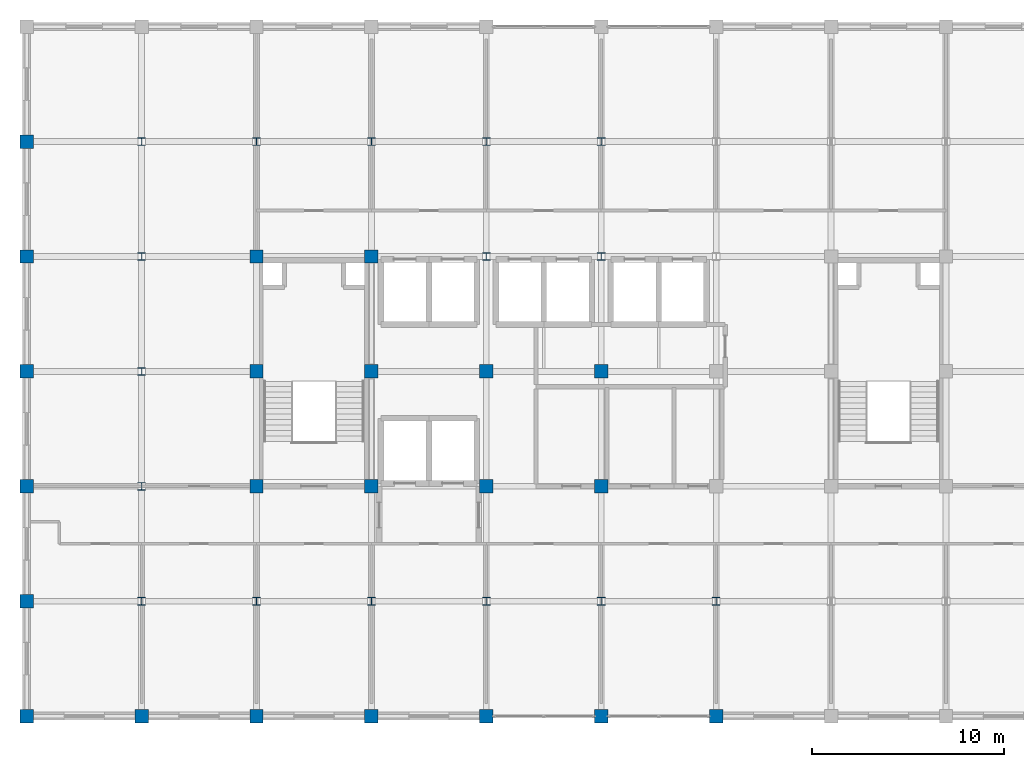
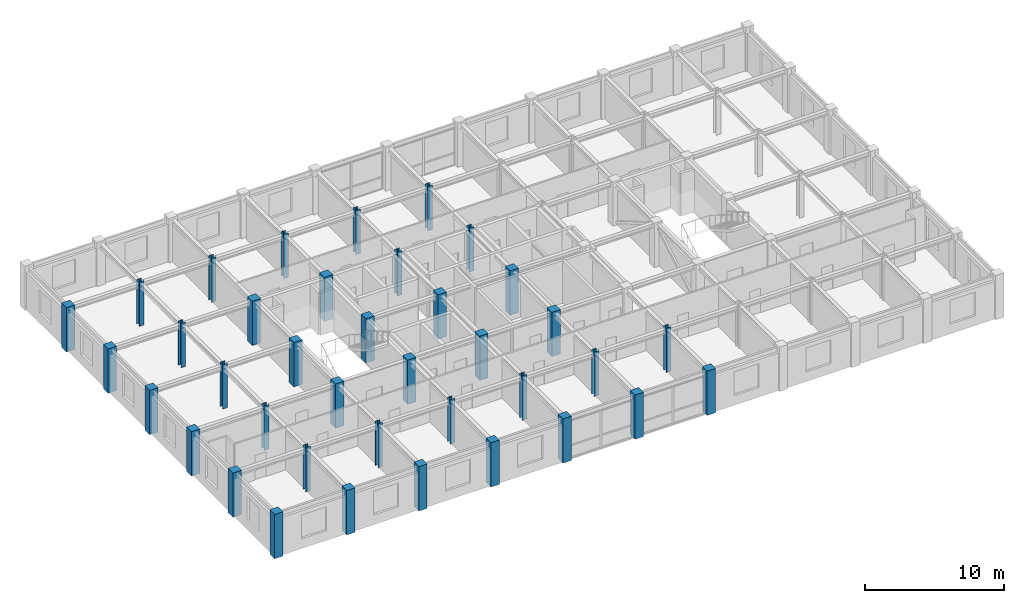
# One storey, part 1 of 14: 38 columns.
"""IFC4 building model written with IfcOpenShell, lengths in metres."""

from ifc_helpers import new_model, si_unit, direction, frame, origin, origin_2d, place, context, subcontext, project, spatial, rectangle, i_section, extrude, material, material_profile, profile_set, type_object, element, save


model = new_model("IFC4")

# Units and contexts
model_context = context("Model", 3, precision=1e-05, world=origin(), true_north=direction((0.0, 1.0)))
body_context = subcontext(model_context, "Body", "Model", "MODEL_VIEW")
ifc_project = project(units=[si_unit("LENGTHUNIT", "METRE"), si_unit("AREAUNIT", "SQUARE_METRE"), si_unit("VOLUMEUNIT", "CUBIC_METRE"), si_unit("PLANEANGLEUNIT", "RADIAN"), si_unit("MASSUNIT", "GRAM", prefix="KILO")], contexts=[model_context])

# Site, building, storey
site_placement = place(None, origin())
site = spatial("IfcSite", under=ifc_project, at=site_placement, CompositionType="ELEMENT")
building_placement = place(site_placement, origin())
building = spatial("IfcBuilding", under=site, at=building_placement, Name="Zlatovratsky Civic Hall", CompositionType="ELEMENT")
storey_placement = place(building_placement, frame((0.0, 0.0, 28.800048828125)))
storey = spatial("IfcBuildingStorey", under=building, at=storey_placement, Name="L07", CompositionType="ELEMENT", Elevation=28.800048828125)

# Columns
ifc_material_1 = material(Name="Concrete C35/45 (B40)", Category="concrete")
ifc_material_profile_1 = material_profile(ifc_material_1, rectangle(XDim=0.699951171875, YDim=0.699951171875, at=origin_2d()), Name="RC 700x700")
ifc_profile_set_1 = profile_set([ifc_material_profile_1], Name="Concrete C35/45 (B40)")
column_type_1 = type_object("IfcColumnType", Name="Col_CorePier_RC700", PredefinedType="COLUMN", material=ifc_profile_set_1)
for number, where, z_axis, x_axis, name in (
    (1, (54.0, 72.0, 0.0), (0.0, 0.0, 1.0), (1.0, 0.0, 0.0), "CL-2095"),
    (2, (60.0, 72.0, 0.0), (0.0, 0.0, 1.0), (1.0, 0.0, 0.0), "CL-2096"),
    (3, (66.0, 72.0, 0.0), (0.0, 0.0, 1.0), (1.0, 0.0, 0.0), "CL-2097"),
    (4, (72.0, 72.0, 0.0), (0.0, 0.0, 1.0), (1.0, 0.0, 0.0), "CL-2098"),
    (5, (78.0, 72.0, 0.0), (0.0, 0.0, 1.0), (1.0, 0.0, 0.0), "CL-2099"),
    (6, (84.0, 72.0, 0.0), (0.0, 0.0, 1.0), (1.0, 0.0, 0.0), "CL-2100"),
    (7, (90.0, 72.0, 0.0), (0.0, 0.0, 1.0), (1.0, 0.0, 0.0), "CL-2101"),
    (8, (54.0, 78.0, 0.0), (0.0, 0.0, 1.0), (1.0, 0.0, 0.0), "CL-2106"),
    (9, (54.0, 84.0, 0.0), (0.0, 0.0, 1.0), (1.0, 0.0, 0.0), "CL-2117"),
    (10, (66.0, 84.0, 0.0), (0.0, 0.0, 1.0), (1.0, 0.0, 0.0), "CL-2119"),
    (11, (72.0, 84.0, 0.0), (0.0, 0.0, 1.0), (1.0, 0.0, 0.0), "CL-2120"),
    (12, (78.0, 84.0, 0.0), (0.0, 0.0, 1.0), (1.0, 0.0, 0.0), "CL-2121"),
    (13, (84.0, 84.0, 0.0), (0.0, 0.0, 1.0), (1.0, 0.0, 0.0), "CL-2122"),
    (14, (54.0, 90.0, 0.0), (0.0, 0.0, 1.0), (1.0, 0.0, 0.0), "CL-2128"),
    (15, (66.0, 90.0, 0.0), (0.0, 0.0, 1.0), (1.0, 0.0, 0.0), "CL-2130"),
    (16, (72.0, 90.0, 0.0), (0.0, 0.0, 1.0), (1.0, 0.0, 0.0), "CL-2131"),
    (17, (78.0, 90.0, 0.0), (0.0, 0.0, 1.0), (1.0, 0.0, 0.0), "CL-2132"),
    (18, (84.0, 90.0, 0.0), (0.0, 0.0, 1.0), (1.0, 0.0, 0.0), "CL-2133"),
    (19, (54.0, 96.0, 0.0), (0.0, 0.0, 1.0), (1.0, 0.0, 0.0), "CL-2139"),
    (20, (66.0, 96.0, 0.0), (0.0, 0.0, 1.0), (1.0, 0.0, 0.0), "CL-2141"),
    (21, (72.0, 96.0, 0.0), (0.0, 0.0, 1.0), (1.0, 0.0, 0.0), "CL-2142"),
    (22, (54.0, 102.0, 0.0), (0.0, 0.0, 1.0), (1.0, 0.0, 0.0), "CL-2150"),
):
    element("IfcColumn", number, at=place(storey_placement, frame(where, z_axis=z_axis, x_axis=x_axis)), inside=storey, type_object=column_type_1, Name=name, PredefinedType="COLUMN", context=body_context, shape_type="SweptSolid", body=[
        extrude(rectangle(XDim=0.699951171875, YDim=0.699951171875, at=origin_2d()), origin(), (0.0, 0.0, 1.0), 3.89990234375),
    ])
ifc_material_2 = material(Name="Steel S355", Category="steel")
ifc_material_profile_2 = material_profile(ifc_material_2, i_section(OverallWidth=0.39794921875, OverallDepth=0.39404296875, WebThickness=0.010986328125, FlangeThickness=0.01806640625, FilletRadius=0.02197265625, at=origin_2d()), Name="40K1")
ifc_profile_set_2 = profile_set([ifc_material_profile_2], Name="Steel S355")
column_type_2 = type_object("IfcColumnType", Name="Col_Steel_40K1", PredefinedType="COLUMN", material=ifc_profile_set_2)
for number, where, z_axis, x_axis, name in (
    (23, (60.0, 78.0, 0.0), (0.0, 0.0, 1.0), (1.0, 0.0, 0.0), "CL-2107"),
    (24, (66.0, 78.0, 0.0), (0.0, 0.0, 1.0), (1.0, 0.0, 0.0), "CL-2108"),
    (25, (72.0, 78.0, 0.0), (0.0, 0.0, 1.0), (1.0, 0.0, 0.0), "CL-2109"),
    (26, (78.0, 78.0, 0.0), (0.0, 0.0, 1.0), (1.0, 0.0, 0.0), "CL-2110"),
    (27, (84.0, 78.0, 0.0), (0.0, 0.0, 1.0), (1.0, 0.0, 0.0), "CL-2111"),
    (28, (90.0, 78.0, 0.0), (0.0, 0.0, 1.0), (1.0, 0.0, 0.0), "CL-2112"),
    (29, (60.0, 84.0, 0.0), (0.0, 0.0, 1.0), (1.0, 0.0, 0.0), "CL-2118"),
    (30, (60.0, 90.0, 0.0), (0.0, 0.0, 1.0), (1.0, 0.0, 0.0), "CL-2129"),
    (31, (60.0, 96.0, 0.0), (0.0, 0.0, 1.0), (1.0, 0.0, 0.0), "CL-2140"),
    (32, (78.0, 96.0, 0.0), (0.0, 0.0, 1.0), (1.0, 0.0, 0.0), "CL-2143"),
    (33, (84.0, 96.0, 0.0), (0.0, 0.0, 1.0), (1.0, 0.0, 0.0), "CL-2144"),
    (34, (60.0, 102.0, 0.0), (0.0, 0.0, 1.0), (1.0, 0.0, 0.0), "CL-2151"),
    (35, (66.0, 102.0, 0.0), (0.0, 0.0, 1.0), (1.0, 0.0, 0.0), "CL-2152"),
    (36, (72.0, 102.0, 0.0), (0.0, 0.0, 1.0), (1.0, 0.0, 0.0), "CL-2153"),
    (37, (78.0, 102.0, 0.0), (0.0, 0.0, 1.0), (1.0, 0.0, 0.0), "CL-2154"),
    (38, (84.0, 102.0, 0.0), (0.0, 0.0, 1.0), (1.0, 0.0, 0.0), "CL-2155"),
):
    element("IfcColumn", number, at=place(storey_placement, frame(where, z_axis=z_axis, x_axis=x_axis)), inside=storey, type_object=column_type_2, Name=name, PredefinedType="COLUMN", context=body_context, shape_type="SweptSolid", body=[
        extrude(i_section(OverallWidth=0.39794921875, OverallDepth=0.39404296875, WebThickness=0.010986328125, FlangeThickness=0.01806640625, FilletRadius=0.02197265625, at=origin_2d()), origin(), (0.0, 0.0, 1.0), 3.89990234375),
    ])

save(model, "model.ifc")
